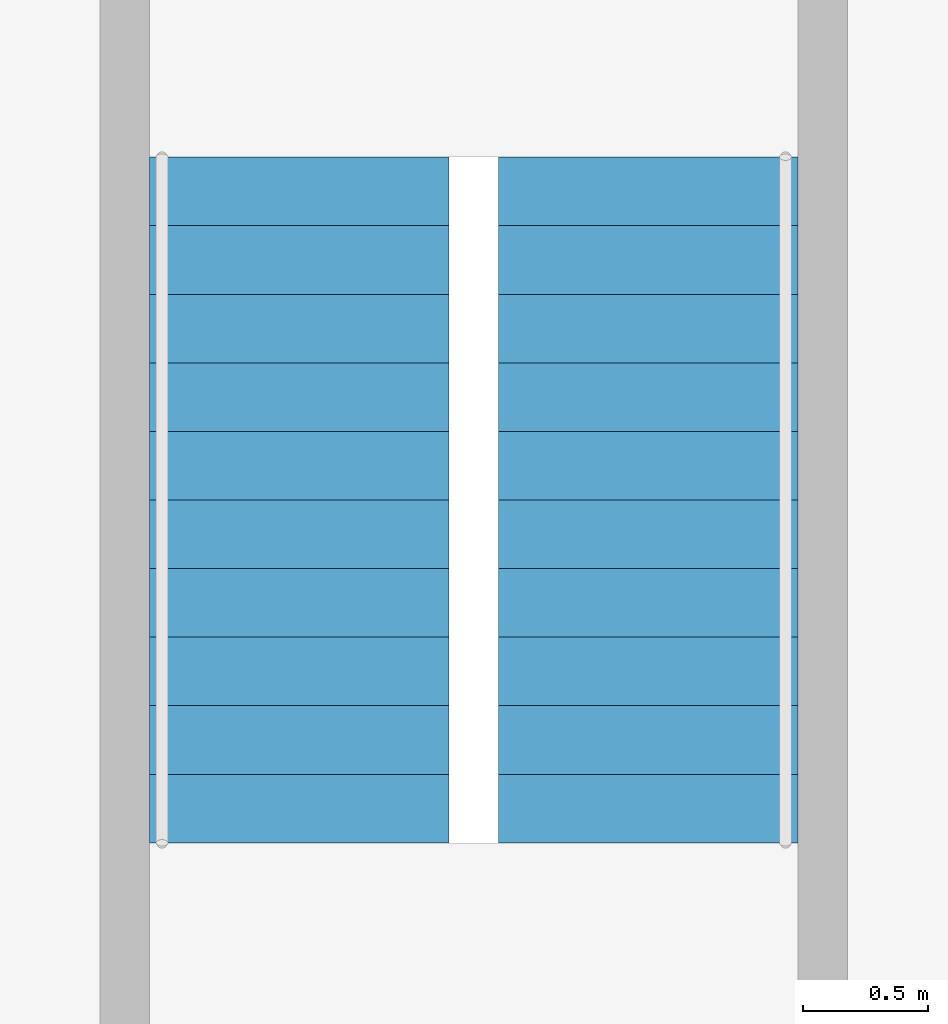
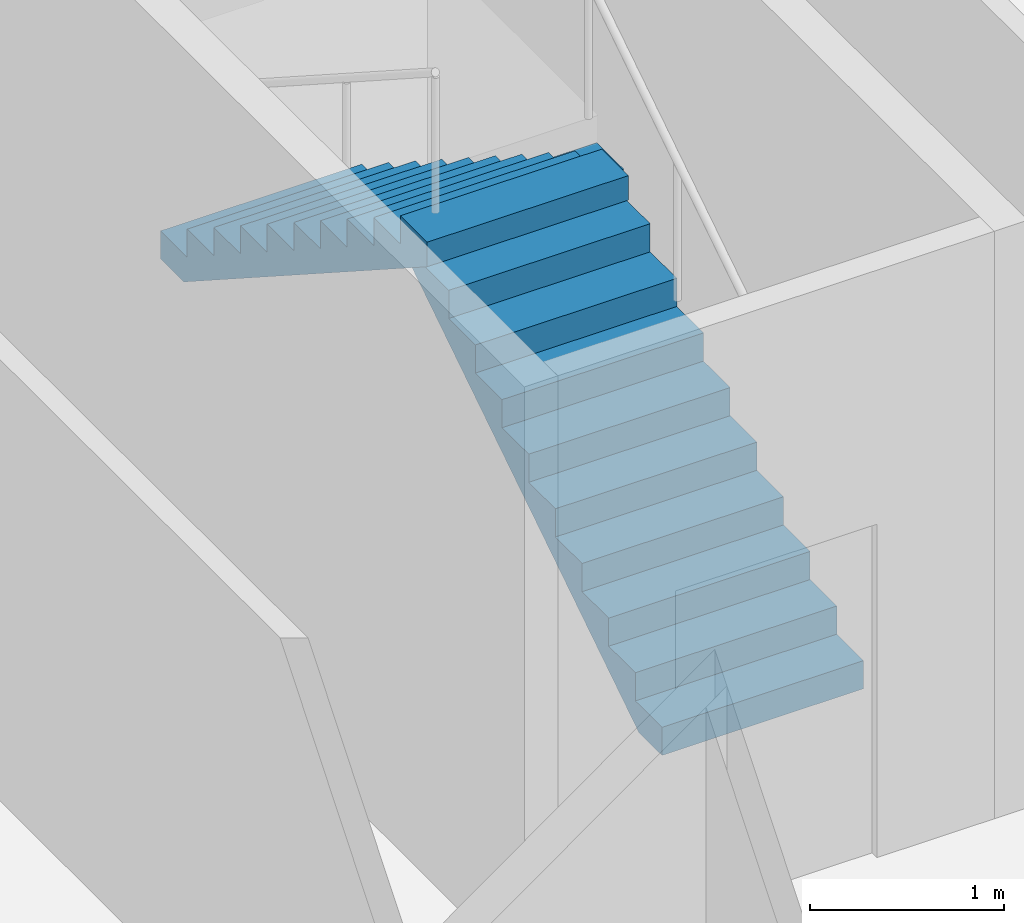
# One storey, part 17 of 19: 2 stair flights, 1 element without a shape of its own.
"""IFC4 building model written with IfcOpenShell, lengths in metres."""

from ifc_helpers import new_model, si_unit, direction, frame, origin, place, context, subcontext, project, spatial, polyline, outline, extrude, source, transform, mapped, material, type_object, element, aggregate, save


model = new_model("IFC4")

# Units and contexts
model_context = context("Model", 3, precision=1e-05, world=origin(), true_north=direction((0.0, 1.0)))
body_context = subcontext(model_context, "Body", "Model", "MODEL_VIEW")
ifc_project = project(units=[si_unit("LENGTHUNIT", "METRE"), si_unit("AREAUNIT", "SQUARE_METRE"), si_unit("VOLUMEUNIT", "CUBIC_METRE"), si_unit("PLANEANGLEUNIT", "RADIAN"), si_unit("MASSUNIT", "GRAM", prefix="KILO")], contexts=[model_context])

# Site, building, storey
site_placement = place(None, origin())
site = spatial("IfcSite", under=ifc_project, at=site_placement, CompositionType="ELEMENT")
building_placement = place(site_placement, origin())
building = spatial("IfcBuilding", under=site, at=building_placement, Name="Trellis Farm Tower", CompositionType="ELEMENT")
storey_placement = place(building_placement, frame((0.0, 0.0, 197.10009765625)))
storey = spatial("IfcBuildingStorey", under=building, at=storey_placement, Name="L43", CompositionType="ELEMENT", Elevation=197.10009765625)

# Stair, stair flights
ifc_material = material(Name="Concrete C50/60", Category="concrete")
stair_type = type_object("IfcStairType", Name="CORE EXIT STAIR 22 RISERS 177 MM", PredefinedType="HALF_TURN_STAIR", material=ifc_material)
stair_placement = place(storey_placement, origin())
stair = element("IfcStair", 1, at=stair_placement, inside=storey, type_object=stair_type, Name="Exit stair N", PredefinedType="HALF_TURN_STAIR")
stair_flight_type = type_object("IfcStairFlightType", Name="STAIR FLIGHT 11 RISERS 177 MM", PredefinedType="STRAIGHT", material=ifc_material)
shared_shape = source(origin(), body_context, "Body", "SweptSolid", [
    extrude(outline(polyline([(0.0, 0.0), (0.0, 0.17724609375), (0.27490234375, 0.17724609375), (0.27490234375, 0.3544921875), (0.550048828125, 0.3544921875), (0.550048828125, 0.53173828125), (0.824951171875, 0.53173828125), (0.824951171875, 0.708984375), (1.10009765625, 0.708984375), (1.10009765625, 0.886474609375), (1.375, 0.886474609375), (1.375, 1.063720703125), (1.64990234375, 1.063720703125), (1.64990234375, 1.240966796875), (1.925048828125, 1.240966796875), (1.925048828125, 1.418212890625), (2.199951171875, 1.418212890625), (2.199951171875, 1.595458984375), (2.47509765625, 1.595458984375), (2.47509765625, 1.772705078125), (2.75, 1.772705078125), (2.75, 1.949951171875), (2.75, 1.6181640625), (0.23974609375, 0.0), (0.0, 0.0)])), frame((0.0, 0.60009765625, 0.0), z_axis=(0.0, -1.0, 0.0), x_axis=(1.0, 0.0, 0.0)), (0.0, 0.0, 1.0), 1.199951171875),
])
stair_flight_1_placement = place(storey_placement, frame((0.699951171875, 14.85009765625, 0.0), z_axis=(0.0, 0.0, 1.0), x_axis=(0.0, 1.0, 0.0)))
stair_flight_1 = element("IfcStairFlight", 2, at=stair_flight_1_placement, type_object=stair_flight_type, Name="STN flight 1", NumberOfRisers=11, NumberOfTreads=10, PredefinedType="STRAIGHT", RiserHeight=0.177272727, TreadLength=0.275, context=body_context, shape_type="MappedRepresentation", body=[
    mapped(shared_shape, transform((0.0, 0.0, 0.0))),
])
stair_flight_2_placement = place(storey_placement, frame((-0.699951171875, 17.60009765625, 1.949951171875), z_axis=(0.0, 0.0, 1.0), x_axis=(0.0, -1.0, 0.0)))
stair_flight_2 = element("IfcStairFlight", 3, at=stair_flight_2_placement, type_object=stair_flight_type, Name="STN flight 2", NumberOfRisers=11, NumberOfTreads=10, PredefinedType="STRAIGHT", RiserHeight=0.177272727, TreadLength=0.275, context=body_context, shape_type="MappedRepresentation", body=[
    mapped(shared_shape, transform((0.0, 0.0, 0.0))),
])
aggregate(stair, [stair_flight_1, stair_flight_2])

save(model, "model.ifc")
